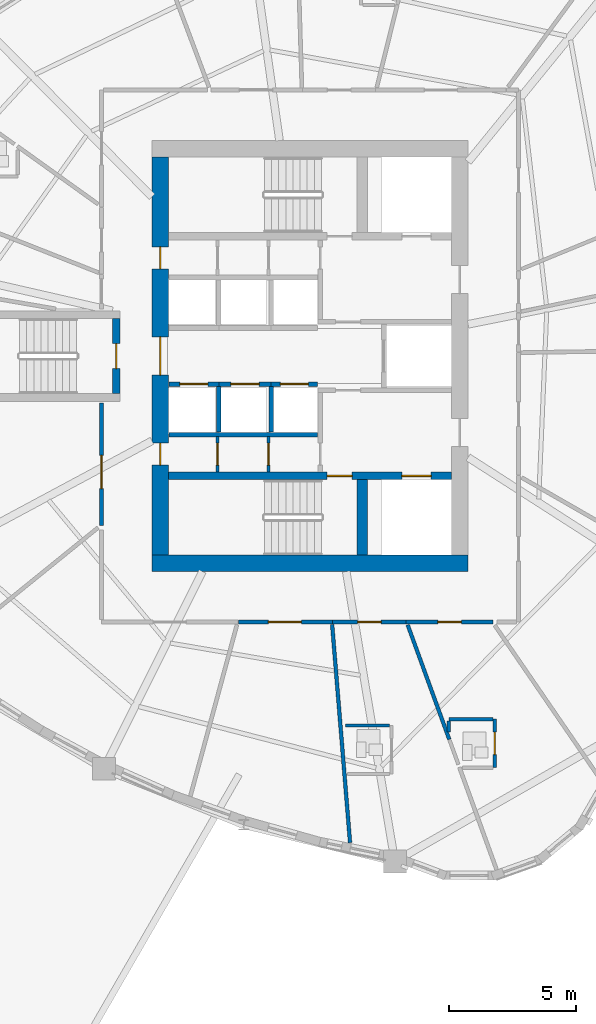
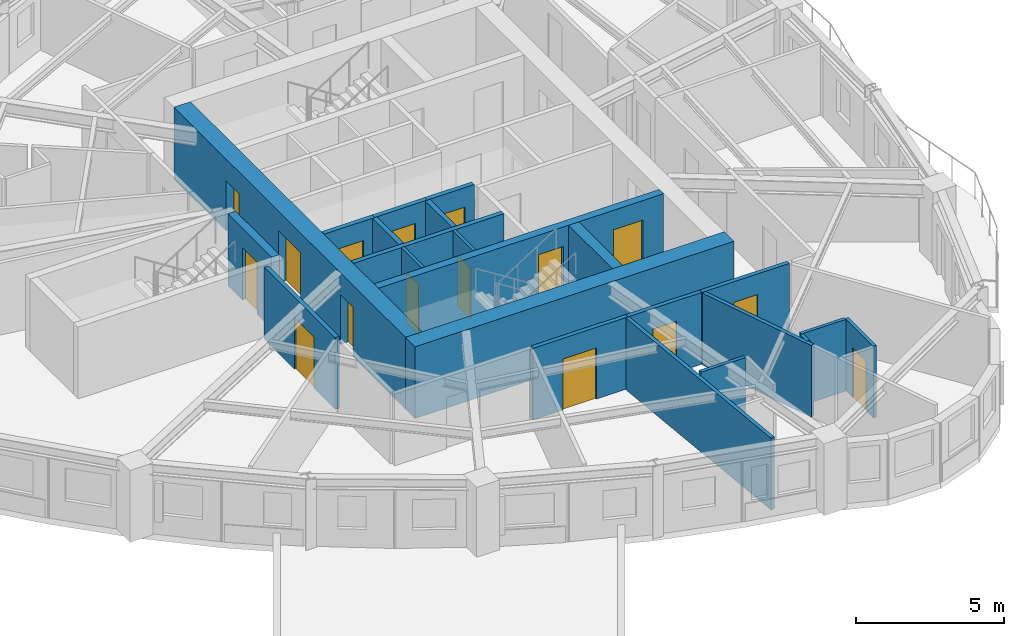
# One storey, part 4 of 14: 23 walls, 16 doors, 16 openings.
"""IFC4 building model written with IfcOpenShell, lengths in metres."""

from ifc_helpers import new_model, si_unit, direction, frame, frame_2d, origin, place, context, subcontext, project, spatial, rectangle, extrude, source, transform, mapped, material, layer, layer_set, type_object, element, fill, save


model = new_model("IFC4")

# Units and contexts
model_context = context("Model", 3, precision=1e-05, world=origin(), true_north=direction((0.0, 1.0)))
body_context = subcontext(model_context, "Body", "Model", "MODEL_VIEW")
ifc_project = project(units=[si_unit("LENGTHUNIT", "METRE"), si_unit("AREAUNIT", "SQUARE_METRE"), si_unit("VOLUMEUNIT", "CUBIC_METRE"), si_unit("PLANEANGLEUNIT", "RADIAN"), si_unit("MASSUNIT", "GRAM", prefix="KILO")], contexts=[model_context])

# Site, building, storey
site_placement = place(None, origin())
site = spatial("IfcSite", under=ifc_project, at=site_placement, CompositionType="ELEMENT")
building_placement = place(site_placement, origin())
building = spatial("IfcBuilding", under=site, at=building_placement, Name="Qafzar Sky-Pleat Residences", CompositionType="ELEMENT")
storey_placement = place(building_placement, frame((0.0, 0.0, 118.39990234375)))
storey = spatial("IfcBuildingStorey", under=building, at=storey_placement, Name="L35", CompositionType="ELEMENT", Elevation=118.39990234375)

# Wall, opening, door
ifc_material_1 = material(Name="Acoustic gypsum plasterboard partition", Category="gypsum")
ifc_layer_1 = layer(ifc_material_1, 0.159912109375)
ifc_layer_set_1 = layer_set([ifc_layer_1], Name="Acoustic gypsum plasterboard partition")
wall_type_1 = type_object("IfcWallType", Name="PART-COR-160", PredefinedType="PARTITIONING", material=ifc_layer_set_1)
wall_1_placement = place(storey_placement, frame((22.169921875, 19.35888671875, 0.0), z_axis=(0.0, 0.0, 1.0), x_axis=(0.0, 1.0, 0.0)))
wall_1 = element("IfcWall", 1, at=wall_1_placement, inside=storey, type_object=wall_type_1, Name="L35 Partition Wall PART-L35-PW-005", PredefinedType="PARTITIONING", context=body_context, shape_type="SweptSolid", body=[
    extrude(rectangle(XDim=4.791015625, YDim=0.159912109375, at=frame_2d((2.3955078125, 0.0))), origin(), (0.0, 0.0, 1.0), 2.9501953125),
])
opening_1_placement = place(wall_1_placement, frame((1.444580078125, 0.0, 0.0)))
opening_1 = element("IfcOpeningElement", 2, at=opening_1_placement, cuts=wall_1, Name="Opening ID-05", PredefinedType="OPENING", context=body_context, shape_type="SweptSolid", body=[
    extrude(rectangle(XDim=1.300048828125, YDim=2.10009765625, at=frame_2d((0.64990234375, 1.050048828125))), frame((0.0, 0.08984375, 0.0), z_axis=(0.0, -1.0, 0.0), x_axis=(1.0, 0.0, 0.0)), (0.0, 0.0, 1.0), 0.179931640625),
])
ifc_material_2 = material(Name="Timber-faced fire door", Category="wood")
door_type_1 = type_object("IfcDoorType", Name="DR-LNG-1300", OperationType="DOUBLE_DOOR_SINGLE_SWING", PredefinedType="DOOR", material=ifc_material_2)
shared_shape_1 = source(origin(), body_context, "Body", "SweptSolid", [
    extrude(rectangle(XDim=1.300048828125, YDim=2.10009765625, at=frame_2d((0.64990234375, 1.050048828125))), frame((0.0, 0.02490234375, 0.0), z_axis=(0.0, -1.0, 0.0), x_axis=(1.0, 0.0, 0.0)), (0.0, 0.0, 1.0), 0.050048828125),
])
door_1_placement = place(opening_1_placement, origin())
door_1 = element("IfcDoor", 3, at=door_1_placement, inside=storey, type_object=door_type_1, Name="L35 Academic Seminar Room Door", OperationType="DOUBLE_DOOR_SINGLE_SWING", OverallHeight=2.10009765625, OverallWidth=1.300048828125, PredefinedType="DOOR", context=body_context, shape_type="MappedRepresentation", body=[
    mapped(shared_shape_1, transform((0.0, 0.0, 0.0), x_axis=(1.0, 0.0, 0.0), y_axis=(0.0, 1.0, 0.0), z_axis=(0.0, 0.0, 1.0), scale=1.0)),
])
fill(opening_1, door_1)

wall_2_placement = place(storey_placement, frame((31.22412109375, 15.570068359375, 0.0), z_axis=(0.0, 0.0, 1.0), x_axis=(-1.0, 0.0, 0.0)))
wall_2 = element("IfcWall", 4, at=wall_2_placement, inside=storey, type_object=wall_type_1, Name="L35 Partition Wall PART-L35-PW-008", PredefinedType="PARTITIONING", context=body_context, shape_type="SweptSolid", body=[
    extrude(rectangle(XDim=3.67919921875, YDim=0.159912109375, at=frame_2d((1.839599609375, 0.0))), origin(), (0.0, 0.0, 1.0), 2.9501953125),
])
opening_2_placement = place(wall_2_placement, frame((1.21240234375, 0.0, 0.0)))
opening_2 = element("IfcOpeningElement", 5, at=opening_2_placement, cuts=wall_2, Name="Opening ID-05", PredefinedType="OPENING", context=body_context, shape_type="SweptSolid", body=[
    extrude(rectangle(XDim=1.300048828125, YDim=2.10009765625, at=frame_2d((0.64990234375, 1.050048828125))), frame((0.0, 0.08984375, 0.0), z_axis=(0.0, -1.0, 0.0), x_axis=(1.0, 0.0, 0.0)), (0.0, 0.0, 1.0), 0.179931640625),
])
door_2_placement = place(opening_2_placement, origin())
door_2 = element("IfcDoor", 6, at=door_2_placement, inside=storey, type_object=door_type_1, Name="L35 Co-Living Lounge Door", OperationType="DOUBLE_DOOR_SINGLE_SWING", OverallHeight=2.10009765625, OverallWidth=1.300048828125, PredefinedType="DOOR", context=body_context, shape_type="MappedRepresentation", body=[
    mapped(shared_shape_1, transform((0.0, 0.0, 0.0), x_axis=(1.0, 0.0, 0.0), y_axis=(0.0, 1.0, 0.0), z_axis=(0.0, 0.0, 1.0), scale=1.0)),
])
fill(opening_2, door_2)

wall_3_placement = place(storey_placement, frame((37.52392578125, 15.570068359375, 0.0), z_axis=(0.0, 0.0, 1.0), x_axis=(-1.0, 0.0, 0.0)))
wall_3 = element("IfcWall", 7, at=wall_3_placement, inside=storey, type_object=wall_type_1, Name="L35 Partition Wall PART-L35-PW-010", PredefinedType="PARTITIONING", context=body_context, shape_type="SweptSolid", body=[
    extrude(rectangle(XDim=3.40087890625, YDim=0.159912109375, at=frame_2d((1.700439453125, 0.0))), origin(), (0.0, 0.0, 1.0), 2.9501953125),
])
opening_3_placement = place(wall_3_placement, frame((1.241455078125, 0.0, 0.0)))
opening_3 = element("IfcOpeningElement", 8, at=opening_3_placement, cuts=wall_3, Name="Opening ID-04", PredefinedType="OPENING", context=body_context, shape_type="SweptSolid", body=[
    extrude(rectangle(XDim=0.919921875, YDim=2.10009765625, at=frame_2d((0.4599609375, 1.050048828125))), frame((0.0, 0.08984375, 0.0), z_axis=(0.0, -1.0, 0.0), x_axis=(1.0, 0.0, 0.0)), (0.0, 0.0, 1.0), 0.179931640625),
])
door_type_2 = type_object("IfcDoorType", Name="DR-BED-920", OperationType="NOTDEFINED", PredefinedType="DOOR", material=ifc_material_2)
shared_shape_2 = source(origin(), body_context, "Body", "SweptSolid", [
    extrude(rectangle(XDim=0.919921875, YDim=2.10009765625, at=frame_2d((0.4599609375, 1.050048828125))), frame((0.0, 0.02490234375, 0.0), z_axis=(0.0, -1.0, 0.0), x_axis=(1.0, 0.0, 0.0)), (0.0, 0.0, 1.0), 0.050048828125),
])
door_3_placement = place(opening_3_placement, origin())
door_3 = element("IfcDoor", 9, at=door_3_placement, inside=storey, type_object=door_type_2, Name="L35 Co-Living Bedroom 4 Door", OperationType="SINGLE_SWING_LEFT", OverallHeight=2.10009765625, OverallWidth=0.919921875, PredefinedType="DOOR", context=body_context, shape_type="MappedRepresentation", body=[
    mapped(shared_shape_2, transform((0.0, 0.0, 0.0), x_axis=(1.0, 0.0, 0.0), y_axis=(0.0, 1.0, 0.0), z_axis=(0.0, 0.0, 1.0), scale=1.0)),
])
fill(opening_3, door_3)

wall_4_placement = place(storey_placement, frame((34.10791015625, 15.570068359375, 0.0), z_axis=(0.0, 0.0, 1.0), x_axis=(-1.0, 0.0, 0.0)))
wall_4 = element("IfcWall", 10, at=wall_4_placement, inside=storey, type_object=wall_type_1, Name="L35 Partition Wall PART-L35-PW-011", PredefinedType="PARTITIONING", context=body_context, shape_type="SweptSolid", body=[
    extrude(rectangle(XDim=2.868896484375, YDim=0.159912109375, at=frame_2d((1.4345703125, 0.0))), origin(), (0.0, 0.0, 1.0), 2.9501953125),
])
opening_4_placement = place(wall_4_placement, frame((0.97412109375, 0.0, 0.0)))
opening_4 = element("IfcOpeningElement", 11, at=opening_4_placement, cuts=wall_4, Name="Opening ID-04", PredefinedType="OPENING", context=body_context, shape_type="SweptSolid", body=[
    extrude(rectangle(XDim=0.919921875, YDim=2.10009765625, at=frame_2d((0.4599609375, 1.050048828125))), frame((0.0, 0.08984375, 0.0), z_axis=(0.0, -1.0, 0.0), x_axis=(1.0, 0.0, 0.0)), (0.0, 0.0, 1.0), 0.179931640625),
])
door_4_placement = place(opening_4_placement, origin())
door_4 = element("IfcDoor", 12, at=door_4_placement, inside=storey, type_object=door_type_2, Name="L35 Co-Living Bedroom 3 Door", OperationType="SINGLE_SWING_RIGHT", OverallHeight=2.10009765625, OverallWidth=0.919921875, PredefinedType="DOOR", context=body_context, shape_type="MappedRepresentation", body=[
    mapped(shared_shape_2, transform((0.0, 0.0, 0.0), x_axis=(1.0, 0.0, 0.0), y_axis=(0.0, 1.0, 0.0), z_axis=(0.0, 0.0, 1.0), scale=1.0)),
])
fill(opening_4, door_4)

# Wall
ifc_material_3 = material(Name="Concrete blockwork partition", Category="masonry")
ifc_layer_2 = layer(ifc_material_3, 0.179931640625)
ifc_layer_set_2 = layer_set([ifc_layer_2], Name="Concrete blockwork partition")
wall_type_2 = type_object("IfcWallType", Name="PART-SHAFT-180", PredefinedType="PARTITIONING", material=ifc_layer_set_2)
wall_5_placement = place(storey_placement, frame((24.81005859375, 22.919921875, 0.0), z_axis=(0.0, 0.0, 1.0), x_axis=(1.0, 0.0, 0.0)))
element("IfcWall", 13, at=wall_5_placement, inside=storey, type_object=wall_type_2, Name="L35 Partition Wall PART-L35-P13-S", PredefinedType="PARTITIONING", context=body_context, shape_type="SweptSolid", body=[
    extrude(rectangle(XDim=5.83984375, YDim=0.179931640625, at=frame_2d((2.919921875, 0.0))), origin(), (0.0, 0.0, 1.0), 2.9501953125),
])

# Wall, opening, door
wall_6_placement = place(storey_placement, frame((24.81005859375, 24.89990234375, 0.0), z_axis=(0.0, 0.0, 1.0), x_axis=(1.0, 0.0, 0.0)))
wall_6 = element("IfcWall", 14, at=wall_6_placement, inside=storey, type_object=wall_type_2, Name="L35 Partition Wall PART-L35-P1-N", PredefinedType="PARTITIONING", context=body_context, shape_type="SweptSolid", body=[
    extrude(rectangle(XDim=1.96484375, YDim=0.179931640625, at=frame_2d((0.982421875, 0.0))), origin(), (0.0, 0.0, 1.0), 2.9501953125),
])
opening_5_placement = place(wall_6_placement, frame((0.4326171875, 0.0, 0.0)))
opening_5 = element("IfcOpeningElement", 15, at=opening_5_placement, cuts=wall_6, Name="Opening LD-01", PredefinedType="OPENING", context=body_context, shape_type="SweptSolid", body=[
    extrude(rectangle(XDim=1.10009765625, YDim=2.14990234375, at=frame_2d((0.550048828125, 1.074951171875))), frame((0.0, 0.10009765625, 0.0), z_axis=(0.0, -1.0, 0.0), x_axis=(1.0, 0.0, 0.0)), (0.0, 0.0, 1.0), 0.199951171875),
])
ifc_material_4 = material(Name="Stainless steel sliding landing door", Category="steel")
door_type_3 = type_object("IfcDoorType", Name="DR-LIFT-P", OperationType="DOUBLE_DOOR_SLIDING", PredefinedType="DOOR", material=ifc_material_4)
shared_shape_3 = source(origin(), body_context, "Body", "SweptSolid", [
    extrude(rectangle(XDim=1.10009765625, YDim=2.14990234375, at=frame_2d((0.550048828125, 1.074951171875))), frame((0.0, 0.02490234375, 0.0), z_axis=(0.0, -1.0, 0.0), x_axis=(1.0, 0.0, 0.0)), (0.0, 0.0, 1.0), 0.050048828125),
])
door_5_placement = place(opening_5_placement, origin())
door_5 = element("IfcDoor", 16, at=door_5_placement, inside=storey, type_object=door_type_3, Name="L35 Passenger Lift P1 Landing Door", OperationType="DOUBLE_DOOR_SLIDING", OverallHeight=2.14990234375, OverallWidth=1.10009765625, PredefinedType="DOOR", context=body_context, shape_type="MappedRepresentation", body=[
    mapped(shared_shape_3, transform((0.0, 0.0, 0.0), x_axis=(1.0, 0.0, 0.0), y_axis=(0.0, 1.0, 0.0), z_axis=(0.0, 0.0, 1.0), scale=1.0)),
])
fill(opening_5, door_5)

wall_7_placement = place(storey_placement, frame((26.77490234375, 24.89990234375, 0.0), z_axis=(0.0, 0.0, 1.0), x_axis=(1.0, 0.0, 0.0)))
wall_7 = element("IfcWall", 17, at=wall_7_placement, inside=storey, type_object=wall_type_2, Name="L35 Partition Wall PART-L35-P2-N", PredefinedType="PARTITIONING", context=body_context, shape_type="SweptSolid", body=[
    extrude(rectangle(XDim=2.050048828125, YDim=0.179931640625, at=frame_2d((1.02490234375, 0.0))), origin(), (0.0, 0.0, 1.0), 2.9501953125),
])
opening_6_placement = place(wall_7_placement, frame((0.47509765625, 0.0, 0.0)))
opening_6 = element("IfcOpeningElement", 18, at=opening_6_placement, cuts=wall_7, Name="Opening LD-01", PredefinedType="OPENING", context=body_context, shape_type="SweptSolid", body=[
    extrude(rectangle(XDim=1.10009765625, YDim=2.14990234375, at=frame_2d((0.550048828125, 1.074951171875))), frame((0.0, 0.10009765625, 0.0), z_axis=(0.0, -1.0, 0.0), x_axis=(1.0, 0.0, 0.0)), (0.0, 0.0, 1.0), 0.199951171875),
])
door_6_placement = place(opening_6_placement, origin())
door_6 = element("IfcDoor", 19, at=door_6_placement, inside=storey, type_object=door_type_3, Name="L35 Passenger Lift P2 Landing Door", OperationType="DOUBLE_DOOR_SLIDING", OverallHeight=2.14990234375, OverallWidth=1.10009765625, PredefinedType="DOOR", context=body_context, shape_type="MappedRepresentation", body=[
    mapped(shared_shape_3, transform((0.0, 0.0, 0.0), x_axis=(1.0, 0.0, 0.0), y_axis=(0.0, 1.0, 0.0), z_axis=(0.0, 0.0, 1.0), scale=1.0)),
])
fill(opening_6, door_6)

# Wall
wall_8_placement = place(storey_placement, frame((26.77490234375, 23.02001953125, 0.0), z_axis=(0.0, 0.0, 1.0), x_axis=(0.0, 1.0, 0.0)))
element("IfcWall", 20, at=wall_8_placement, inside=storey, type_object=wall_type_2, Name="L35 Partition Wall PART-L35-P13-DIV-1", PredefinedType="PARTITIONING", context=body_context, shape_type="SweptSolid", body=[
    extrude(rectangle(XDim=1.780029296875, YDim=0.179931640625, at=frame_2d((0.89013671875, 0.0))), origin(), (0.0, 0.0, 1.0), 2.9501953125),
])

# Wall, opening, door
wall_9_placement = place(storey_placement, frame((28.824951171875, 24.89990234375, 0.0), z_axis=(0.0, 0.0, 1.0), x_axis=(1.0, 0.0, 0.0)))
wall_9 = element("IfcWall", 21, at=wall_9_placement, inside=storey, type_object=wall_type_2, Name="L35 Partition Wall PART-L35-P3-N", PredefinedType="PARTITIONING", context=body_context, shape_type="SweptSolid", body=[
    extrude(rectangle(XDim=1.824951171875, YDim=0.179931640625, at=frame_2d((0.91259765625, 0.0))), origin(), (0.0, 0.0, 1.0), 2.9501953125),
])
opening_7_placement = place(wall_9_placement, frame((0.362548828125, 0.0, 0.0)))
opening_7 = element("IfcOpeningElement", 22, at=opening_7_placement, cuts=wall_9, Name="Opening LD-01", PredefinedType="OPENING", context=body_context, shape_type="SweptSolid", body=[
    extrude(rectangle(XDim=1.10009765625, YDim=2.14990234375, at=frame_2d((0.550048828125, 1.074951171875))), frame((0.0, 0.10009765625, 0.0), z_axis=(0.0, -1.0, 0.0), x_axis=(1.0, 0.0, 0.0)), (0.0, 0.0, 1.0), 0.199951171875),
])
door_7_placement = place(opening_7_placement, origin())
door_7 = element("IfcDoor", 23, at=door_7_placement, inside=storey, type_object=door_type_3, Name="L35 Passenger Lift P3 Landing Door", OperationType="DOUBLE_DOOR_SLIDING", OverallHeight=2.14990234375, OverallWidth=1.10009765625, PredefinedType="DOOR", context=body_context, shape_type="MappedRepresentation", body=[
    mapped(shared_shape_3, transform((0.0, 0.0, 0.0), x_axis=(1.0, 0.0, 0.0), y_axis=(0.0, 1.0, 0.0), z_axis=(0.0, 0.0, 1.0), scale=1.0)),
])
fill(opening_7, door_7)

# Wall
wall_10_placement = place(storey_placement, frame((28.824951171875, 23.02001953125, 0.0), z_axis=(0.0, 0.0, 1.0), x_axis=(0.0, 1.0, 0.0)))
element("IfcWall", 24, at=wall_10_placement, inside=storey, type_object=wall_type_2, Name="L35 Partition Wall PART-L35-P13-DIV-2", PredefinedType="PARTITIONING", context=body_context, shape_type="SweptSolid", body=[
    extrude(rectangle(XDim=1.780029296875, YDim=0.179931640625, at=frame_2d((0.89013671875, 0.0))), origin(), (0.0, 0.0, 1.0), 2.9501953125),
])

# Wall, opening, door
ifc_material_5 = material(Name="Gypsum plasterboard partition", Category="gypsum")
ifc_layer_3 = layer(ifc_material_5, 0.114990234375)
ifc_layer_set_3 = layer_set([ifc_layer_3], Name="Gypsum plasterboard partition")
wall_type_3 = type_object("IfcWallType", Name="PART-SVC-115", PredefinedType="PARTITIONING", material=ifc_layer_set_3)
wall_11_placement = place(storey_placement, frame((26.72509765625, 21.4599609375, 0.0), z_axis=(0.0, 0.0, 1.0), x_axis=(0.0, 1.0, 0.0)))
wall_11 = element("IfcWall", 25, at=wall_11_placement, inside=storey, type_object=wall_type_3, Name="L35 Partition Wall PART-L35-KC-SW-1", PredefinedType="PARTITIONING", context=body_context, shape_type="SweptSolid", body=[
    extrude(rectangle(XDim=1.380126953125, YDim=0.114990234375, at=frame_2d((0.68994140625, 0.0))), origin(), (0.0, 0.0, 1.0), 2.9501953125),
])
opening_8_placement = place(wall_11_placement, frame((0.260009765625, 0.0, 0.0)))
opening_8 = element("IfcOpeningElement", 26, at=opening_8_placement, cuts=wall_11, Name="Opening ID-09", PredefinedType="OPENING", context=body_context, shape_type="SweptSolid", body=[
    extrude(rectangle(XDim=0.860107421875, YDim=2.050048828125, at=frame_2d((0.43017578125, 1.02490234375))), frame((0.0, 0.0673828125, 0.0), z_axis=(0.0, -1.0, 0.0), x_axis=(1.0, 0.0, 0.0)), (0.0, 0.0, 1.0), 0.135009765625),
])
door_type_4 = type_object("IfcDoorType", Name="DR-SVC-860", OperationType="NOTDEFINED", PredefinedType="DOOR", material=ifc_material_2)
shared_shape_4 = source(origin(), body_context, "Body", "SweptSolid", [
    extrude(rectangle(XDim=0.860107421875, YDim=2.050048828125, at=frame_2d((0.43017578125, 1.02490234375))), frame((0.0, 0.02490234375, 0.0), z_axis=(0.0, -1.0, 0.0), x_axis=(1.0, 0.0, 0.0)), (0.0, 0.0, 1.0), 0.050048828125),
])
door_8_placement = place(opening_8_placement, origin())
door_8 = element("IfcDoor", 27, at=door_8_placement, inside=storey, type_object=door_type_4, Name="L35 Core South Cupboard 1 Door", OperationType="SINGLE_SWING_RIGHT", OverallHeight=2.050048828125, OverallWidth=0.860107421875, PredefinedType="DOOR", context=body_context, shape_type="MappedRepresentation", body=[
    mapped(shared_shape_4, transform((0.0, 0.0, 0.0), x_axis=(1.0, 0.0, 0.0), y_axis=(0.0, 1.0, 0.0), z_axis=(0.0, 0.0, 1.0), scale=1.0)),
])
fill(opening_8, door_8)

wall_12_placement = place(storey_placement, frame((28.72509765625, 21.4599609375, 0.0), z_axis=(0.0, 0.0, 1.0), x_axis=(0.0, 1.0, 0.0)))
wall_12 = element("IfcWall", 28, at=wall_12_placement, inside=storey, type_object=wall_type_3, Name="L35 Partition Wall PART-L35-KC-SW-2", PredefinedType="PARTITIONING", context=body_context, shape_type="SweptSolid", body=[
    extrude(rectangle(XDim=1.380126953125, YDim=0.114990234375, at=frame_2d((0.68994140625, 0.0))), origin(), (0.0, 0.0, 1.0), 2.9501953125),
])
opening_9_placement = place(wall_12_placement, frame((0.260009765625, 0.0, 0.0)))
opening_9 = element("IfcOpeningElement", 29, at=opening_9_placement, cuts=wall_12, Name="Opening ID-09", PredefinedType="OPENING", context=body_context, shape_type="SweptSolid", body=[
    extrude(rectangle(XDim=0.860107421875, YDim=2.050048828125, at=frame_2d((0.43017578125, 1.02490234375))), frame((0.0, 0.0673828125, 0.0), z_axis=(0.0, -1.0, 0.0), x_axis=(1.0, 0.0, 0.0)), (0.0, 0.0, 1.0), 0.135009765625),
])
door_9_placement = place(opening_9_placement, origin())
door_9 = element("IfcDoor", 30, at=door_9_placement, inside=storey, type_object=door_type_4, Name="L35 Core South Cupboard 2 Door", OperationType="SINGLE_SWING_RIGHT", OverallHeight=2.050048828125, OverallWidth=0.860107421875, PredefinedType="DOOR", context=body_context, shape_type="MappedRepresentation", body=[
    mapped(shared_shape_4, transform((0.0, 0.0, 0.0), x_axis=(1.0, 0.0, 0.0), y_axis=(0.0, 1.0, 0.0), z_axis=(0.0, 0.0, 1.0), scale=1.0)),
])
fill(opening_9, door_9)

# Walls
ifc_layer_4 = layer(ifc_material_1, 0.14501953125)
ifc_layer_set_4 = layer_set([ifc_layer_4], Name="Acoustic gypsum plasterboard partition")
wall_type_4 = type_object("IfcWallType", Name="PART-UNIT-145", PredefinedType="PARTITIONING", material=ifc_layer_set_4)
wall_13_placement = place(storey_placement, frame((31.216796875, 15.47607421875, 0.0), z_axis=(0.0, 0.0, 1.0), x_axis=(0.081928316893, -0.996638224679, 0.0)))
element("IfcWall", 31, at=wall_13_placement, inside=storey, type_object=wall_type_4, Name="L35 Partition Wall PART-L35-PW-023", PredefinedType="PARTITIONING", context=body_context, shape_type="SweptSolid", body=[
    extrude(rectangle(XDim=8.591064453125, YDim=0.14501953125, at=frame_2d((4.29541015625, 0.0))), origin(), (0.0, 0.0, 1.0), 2.9501953125),
])
wall_14_placement = place(storey_placement, frame((34.1796875, 15.457763671875, 0.0), z_axis=(0.0, 0.0, 1.0), x_axis=(0.341373856507, -0.939927598325, 0.0)))
element("IfcWall", 32, at=wall_14_placement, inside=storey, type_object=wall_type_4, Name="L35 Partition Wall PART-L35-PW-035", PredefinedType="PARTITIONING", context=body_context, shape_type="SweptSolid", body=[
    extrude(rectangle(XDim=4.77880859375, YDim=0.14501953125, at=frame_2d((2.389404296875, 0.0))), origin(), (0.0, 0.0, 1.0), 2.9501953125),
])

# Wall, opening, door
ifc_material_6 = material(Name="Moisture-resistant gypsum partition", Category="gypsum")
ifc_layer_5 = layer(ifc_material_6, 0.1298828125)
ifc_layer_set_5 = layer_set([ifc_layer_5], Name="Moisture-resistant gypsum partition")
wall_type_5 = type_object("IfcWallType", Name="PART-WET-130", PredefinedType="PARTITIONING", material=ifc_layer_set_5)
wall_15_placement = place(storey_placement, frame((37.595947265625, 9.85791015625, 0.0), z_axis=(0.0, 0.0, 1.0), x_axis=(0.0, 1.0, 0.0)))
wall_15 = element("IfcWall", 33, at=wall_15_placement, inside=storey, type_object=wall_type_5, Name="L35 Partition Wall PART-L35-PW-017", PredefinedType="PARTITIONING", context=body_context, shape_type="SweptSolid", body=[
    extrude(rectangle(XDim=1.900146484375, YDim=0.1298828125, at=frame_2d((0.9501953125, 0.0))), origin(), (0.0, 0.0, 1.0), 2.9501953125),
])
opening_10_placement = place(wall_15_placement, frame((0.510009765625, 0.0, 0.0)))
opening_10 = element("IfcOpeningElement", 34, at=opening_10_placement, cuts=wall_15, Name="Opening ID-07", PredefinedType="OPENING", context=body_context, shape_type="SweptSolid", body=[
    extrude(rectangle(XDim=0.8798828125, YDim=2.050048828125, at=frame_2d((0.43994140625, 1.02490234375))), frame((0.0, 0.074951171875, 0.0), z_axis=(0.0, -1.0, 0.0), x_axis=(1.0, 0.0, 0.0)), (0.0, 0.0, 1.0), 0.14990234375),
])
door_type_5 = type_object("IfcDoorType", Name="DR-WET-880", OperationType="NOTDEFINED", PredefinedType="DOOR", material=ifc_material_2)
shared_shape_5 = source(origin(), body_context, "Body", "SweptSolid", [
    extrude(rectangle(XDim=0.8798828125, YDim=2.050048828125, at=frame_2d((0.43994140625, 1.02490234375))), frame((0.0, 0.02490234375, 0.0), z_axis=(0.0, -1.0, 0.0), x_axis=(1.0, 0.0, 0.0)), (0.0, 0.0, 1.0), 0.050048828125),
])
door_10_placement = place(opening_10_placement, origin())
door_10 = element("IfcDoor", 35, at=door_10_placement, inside=storey, type_object=door_type_5, Name="L35 En-suite Bathroom 4 Door", OperationType="SINGLE_SWING_RIGHT", OverallHeight=2.050048828125, OverallWidth=0.8798828125, PredefinedType="DOOR", context=body_context, shape_type="MappedRepresentation", body=[
    mapped(shared_shape_5, transform((0.0, 0.0, 0.0), x_axis=(1.0, 0.0, 0.0), y_axis=(0.0, 1.0, 0.0), z_axis=(0.0, 0.0, 1.0), scale=1.0)),
])
fill(opening_10, door_10)

# Walls
for number, where, z_axis, x_axis, name in (
    (36, (31.742919921875, 11.508056640625, 0.0), (0.0, 0.0, 1.0), (1.0, 0.0, 0.0), "L35 Partition Wall PART-L35-PW-043"),
    (37, (35.7958984375, 11.758056640625, 0.0), (0.0, 0.0, 1.0), (1.0, 0.0, 0.0), "L35 Partition Wall PART-L35-PW-046"),
):
    element("IfcWall", number, at=place(storey_placement, frame(where, z_axis=z_axis, x_axis=x_axis)), inside=storey, type_object=wall_type_5, Name=name, PredefinedType="PARTITIONING", context=body_context, shape_type="SweptSolid", body=[
        extrude(rectangle(XDim=1.72705078125, YDim=0.1298828125, at=frame_2d((0.863525390625, 0.0))), origin(), (0.0, 0.0, 1.0), 2.9501953125),
    ])
wall_16_placement = place(storey_placement, frame((35.7958984375, 11.2470703125, 0.0), z_axis=(0.0, 0.0, 1.0), x_axis=(0.0, 1.0, 0.0)))
element("IfcWall", 38, at=wall_16_placement, inside=storey, type_object=wall_type_5, Name="L35 Partition Wall PART-L35-PW-055", PredefinedType="PARTITIONING", context=body_context, shape_type="SweptSolid", body=[
    extrude(rectangle(XDim=0.43798828125, YDim=0.1298828125, at=frame_2d((0.218994140625, 0.0))), origin(), (0.0, 0.0, 1.0), 2.9501953125),
])

# Wall, openings, doors
ifc_material_7 = material(Name="Concrete C60/75", Category="concrete")
ifc_layer_6 = layer(ifc_material_7, 0.300048828125)
ifc_layer_set_6 = layer_set([ifc_layer_6], Name="Concrete C60/75")
wall_type_6 = type_object("IfcWallType", Name="WALL-SHEAR-300", PredefinedType="SHEAR", material=ifc_layer_set_6)
wall_17_placement = place(storey_placement, frame((24.800048828125, 21.300048828125, 0.0), z_axis=(0.0, 0.0, 1.0), x_axis=(1.0, 0.0, 0.0)))
wall_17 = element("IfcWall", 39, at=wall_17_placement, inside=storey, type_object=wall_type_6, Name="L35 Stair ST1 and FF1 Shaft North Wall", PredefinedType="SHEAR", context=body_context, shape_type="SweptSolid", body=[
    extrude(rectangle(XDim=11.099853515625, YDim=0.300048828125, at=frame_2d((5.5498046875, 0.0))), origin(), (0.0, 0.0, 1.0), 2.9501953125),
])
opening_11_placement = place(wall_17_placement, frame((6.219970703125, 0.0, 0.0)))
opening_11 = element("IfcOpeningElement", 40, at=opening_11_placement, cuts=wall_17, Name="Opening ID-01", PredefinedType="OPENING", context=body_context, shape_type="SweptSolid", body=[
    extrude(rectangle(XDim=0.97998046875, YDim=2.14990234375, at=frame_2d((0.489990234375, 1.074951171875))), frame((0.0, 0.16015625, 0.0), z_axis=(0.0, -1.0, 0.0), x_axis=(1.0, 0.0, 0.0)), (0.0, 0.0, 1.0), 0.320068359375),
])
opening_12_placement = place(wall_17_placement, frame((9.14990234375, 0.0, 0.0)))
opening_12 = element("IfcOpeningElement", 41, at=opening_12_placement, cuts=wall_17, Name="Opening LD-02", PredefinedType="OPENING", context=body_context, shape_type="SweptSolid", body=[
    extrude(rectangle(XDim=1.14990234375, YDim=2.14990234375, at=frame_2d((0.574951171875, 1.074951171875))), frame((0.0, 0.16015625, 0.0), z_axis=(0.0, -1.0, 0.0), x_axis=(1.0, 0.0, 0.0)), (0.0, 0.0, 1.0), 0.320068359375),
])
door_type_6 = type_object("IfcDoorType", Name="DR-STAIR-980", OperationType="NOTDEFINED", PredefinedType="DOOR", material=ifc_material_2)
shared_shape_6 = source(origin(), body_context, "Body", "SweptSolid", [
    extrude(rectangle(XDim=0.97998046875, YDim=2.14990234375, at=frame_2d((0.489990234375, 1.074951171875))), frame((0.0, 0.02490234375, 0.0), z_axis=(0.0, -1.0, 0.0), x_axis=(1.0, 0.0, 0.0)), (0.0, 0.0, 1.0), 0.050048828125),
])
door_11_placement = place(opening_11_placement, origin())
door_11 = element("IfcDoor", 42, at=door_11_placement, inside=storey, type_object=door_type_6, Name="L35 Stair ST1 Fire Door", OperationType="SINGLE_SWING_LEFT", OverallHeight=2.14990234375, OverallWidth=0.97998046875, PredefinedType="DOOR", context=body_context, shape_type="MappedRepresentation", body=[
    mapped(shared_shape_6, transform((0.0, 0.0, 0.0), x_axis=(1.0, 0.0, 0.0), y_axis=(0.0, 1.0, 0.0), z_axis=(0.0, 0.0, 1.0), scale=1.0)),
])
fill(opening_11, door_11)
door_type_7 = type_object("IfcDoorType", Name="DR-LIFT-FF", OperationType="DOUBLE_DOOR_SLIDING", PredefinedType="DOOR", material=ifc_material_4)
shared_shape_7 = source(origin(), body_context, "Body", "SweptSolid", [
    extrude(rectangle(XDim=1.14990234375, YDim=2.14990234375, at=frame_2d((0.574951171875, 1.074951171875))), frame((0.0, 0.02490234375, 0.0), z_axis=(0.0, -1.0, 0.0), x_axis=(1.0, 0.0, 0.0)), (0.0, 0.0, 1.0), 0.050048828125),
])
door_12_placement = place(opening_12_placement, origin())
door_12 = element("IfcDoor", 43, at=door_12_placement, inside=storey, type_object=door_type_7, Name="L35 Firefighting Lift FF1 Landing Door", OperationType="DOUBLE_DOOR_SLIDING", OverallHeight=2.14990234375, OverallWidth=1.14990234375, PredefinedType="DOOR", context=body_context, shape_type="MappedRepresentation", body=[
    mapped(shared_shape_7, transform((0.0, 0.0, 0.0), x_axis=(1.0, 0.0, 0.0), y_axis=(0.0, 1.0, 0.0), z_axis=(0.0, 0.0, 1.0), scale=1.0)),
])
fill(opening_12, door_12)

# Wall, opening, door
wall_18_placement = place(storey_placement, frame((22.75, 24.52490234375, 0.0), z_axis=(0.0, 0.0, 1.0), x_axis=(0.0, 1.0, 0.0)))
wall_18 = element("IfcWall", 44, at=wall_18_placement, inside=storey, type_object=wall_type_6, Name="L35 ST3 wall E", PredefinedType="SHEAR", context=body_context, shape_type="SweptSolid", body=[
    extrude(rectangle(XDim=2.9501953125, YDim=0.300048828125, at=frame_2d((1.47509765625, 0.0))), origin(), (0.0, 0.0, 1.0), 2.9501953125),
])
opening_13_placement = place(wall_18_placement, frame((0.985107421875, 0.0, 0.0)))
opening_13 = element("IfcOpeningElement", 45, at=opening_13_placement, cuts=wall_18, Name="Opening ID-01", PredefinedType="OPENING", context=body_context, shape_type="SweptSolid", body=[
    extrude(rectangle(XDim=0.97998046875, YDim=2.14990234375, at=frame_2d((0.489990234375, 1.074951171875))), frame((0.0, 0.16015625, 0.0), z_axis=(0.0, -1.0, 0.0), x_axis=(1.0, 0.0, 0.0)), (0.0, 0.0, 1.0), 0.320068359375),
])
door_13_placement = place(opening_13_placement, origin())
door_13 = element("IfcDoor", 46, at=door_13_placement, inside=storey, type_object=door_type_6, Name="L35 Stair ST3 Fire Door", OperationType="SINGLE_SWING_LEFT", OverallHeight=2.14990234375, OverallWidth=0.97998046875, PredefinedType="DOOR", context=body_context, shape_type="MappedRepresentation", body=[
    mapped(shared_shape_6, transform((0.0, 0.0, 0.0), x_axis=(1.0, 0.0, 0.0), y_axis=(0.0, 1.0, 0.0), z_axis=(0.0, 0.0, 1.0), scale=1.0)),
])
fill(opening_13, door_13)

# Walls
ifc_layer_7 = layer(ifc_material_7, 0.39990234375)
ifc_layer_set_7 = layer_set([ifc_layer_7], Name="Concrete C60/75")
wall_type_7 = type_object("IfcWallType", Name="WALL-SHEAR-400", PredefinedType="SHEAR", material=ifc_layer_set_7)
wall_19_placement = place(storey_placement, frame((32.39990234375, 18.199951171875, 0.0), z_axis=(0.0, 0.0, 1.0), x_axis=(0.0, 1.0, 0.0)))
element("IfcWall", 47, at=wall_19_placement, inside=storey, type_object=wall_type_7, Name="L35 Stair ST1 East Dividing Wall", PredefinedType="SHEAR", context=body_context, shape_type="SweptSolid", body=[
    extrude(rectangle(XDim=2.949951171875, YDim=0.39990234375, at=frame_2d((1.47509765625, 0.0))), origin(), (0.0, 0.0, 1.0), 2.9501953125),
])
ifc_layer_8 = layer(ifc_material_7, 0.64990234375)
ifc_layer_set_8 = layer_set([ifc_layer_8], Name="Concrete C60/75")
wall_type_8 = type_object("IfcWallType", Name="WALL-SHEAR-650", PredefinedType="SHEAR", material=ifc_layer_set_8)
wall_20_placement = place(storey_placement, frame((24.14990234375, 17.875, 0.0), z_axis=(0.0, 0.0, 1.0), x_axis=(1.0, 0.0, 0.0)))
element("IfcWall", 48, at=wall_20_placement, inside=storey, type_object=wall_type_8, Name="L35 CORE wall S", PredefinedType="SHEAR", context=body_context, shape_type="SweptSolid", body=[
    extrude(rectangle(XDim=12.400146484375, YDim=0.64990234375, at=frame_2d((6.2001953125, 0.0))), origin(), (0.0, 0.0, 1.0), 2.9501953125),
])

# Wall, openings, doors
wall_21_placement = place(storey_placement, frame((24.47509765625, 33.800048828125, 0.0), z_axis=(0.0, 0.0, 1.0), x_axis=(0.0, -1.0, 0.0)))
wall_21 = element("IfcWall", 49, at=wall_21_placement, inside=storey, type_object=wall_type_8, Name="L35 CORE wall W", PredefinedType="SHEAR", context=body_context, shape_type="SweptSolid", body=[
    extrude(rectangle(XDim=15.60009765625, YDim=0.64990234375, at=frame_2d((7.800048828125, 0.0))), origin(), (0.0, 0.0, 1.0), 2.9501953125),
])
opening_14_placement = place(wall_21_placement, frame((7.050048828125, 0.0, 0.0)))
opening_14 = element("IfcOpeningElement", 50, at=opening_14_placement, cuts=wall_21, Name="Opening ID-03", PredefinedType="OPENING", context=body_context, shape_type="SweptSolid", body=[
    extrude(rectangle(XDim=1.5, YDim=2.14990234375, at=frame_2d((0.75, 1.074951171875))), frame((0.0, 0.3349609375, 0.0), z_axis=(0.0, -1.0, 0.0), x_axis=(1.0, 0.0, 0.0)), (0.0, 0.0, 1.0), 0.669921875),
])
opening_15_placement = place(wall_21_placement, frame((3.52001953125, 0.0, 0.0)))
opening_15 = element("IfcOpeningElement", 51, at=opening_15_placement, cuts=wall_21, Name="Opening ID-09", PredefinedType="OPENING", context=body_context, shape_type="SweptSolid", body=[
    extrude(rectangle(XDim=0.860107421875, YDim=2.050048828125, at=frame_2d((0.43017578125, 1.02490234375))), frame((0.0, 0.3349609375, 0.0), z_axis=(0.0, -1.0, 0.0), x_axis=(1.0, 0.0, 0.0)), (0.0, 0.0, 1.0), 0.669921875),
])
opening_16_placement = place(wall_21_placement, frame((11.219970703125, 0.0, 0.0)))
opening_16 = element("IfcOpeningElement", 52, at=opening_16_placement, cuts=wall_21, Name="Opening ID-09", PredefinedType="OPENING", context=body_context, shape_type="SweptSolid", body=[
    extrude(rectangle(XDim=0.860107421875, YDim=2.050048828125, at=frame_2d((0.43017578125, 1.02490234375))), frame((0.0, 0.3349609375, 0.0), z_axis=(0.0, -1.0, 0.0), x_axis=(1.0, 0.0, 0.0)), (0.0, 0.0, 1.0), 0.669921875),
])
door_type_8 = type_object("IfcDoorType", Name="DR-COR-1500", OperationType="DOUBLE_DOOR_SINGLE_SWING", PredefinedType="DOOR", material=ifc_material_2)
shared_shape_8 = source(origin(), body_context, "Body", "SweptSolid", [
    extrude(rectangle(XDim=1.5, YDim=2.14990234375, at=frame_2d((0.75, 1.074951171875))), frame((0.0, 0.02490234375, 0.0), z_axis=(0.0, -1.0, 0.0), x_axis=(1.0, 0.0, 0.0)), (0.0, 0.0, 1.0), 0.050048828125),
])
door_14_placement = place(opening_14_placement, origin())
door_14 = element("IfcDoor", 53, at=door_14_placement, inside=storey, type_object=door_type_8, Name="L35 Lift Lobby West Double Door", OperationType="DOUBLE_DOOR_SINGLE_SWING", OverallHeight=2.14990234375, OverallWidth=1.5, PredefinedType="DOOR", context=body_context, shape_type="MappedRepresentation", body=[
    mapped(shared_shape_8, transform((0.0, 0.0, 0.0), x_axis=(1.0, 0.0, 0.0), y_axis=(0.0, 1.0, 0.0), z_axis=(0.0, 0.0, 1.0), scale=1.0)),
])
fill(opening_14, door_14)
door_15_placement = place(opening_15_placement, origin())
door_15 = element("IfcDoor", 54, at=door_15_placement, inside=storey, type_object=door_type_4, Name="L35 Core North-West Service Door", OperationType="SINGLE_SWING_RIGHT", OverallHeight=2.050048828125, OverallWidth=0.860107421875, PredefinedType="DOOR", context=body_context, shape_type="MappedRepresentation", body=[
    mapped(shared_shape_4, transform((0.0, 0.0, 0.0), x_axis=(1.0, 0.0, 0.0), y_axis=(0.0, 1.0, 0.0), z_axis=(0.0, 0.0, 1.0), scale=1.0)),
])
fill(opening_15, door_15)
door_16_placement = place(opening_16_placement, origin())
door_16 = element("IfcDoor", 55, at=door_16_placement, inside=storey, type_object=door_type_4, Name="L35 Core South-West Service Door", OperationType="SINGLE_SWING_LEFT", OverallHeight=2.050048828125, OverallWidth=0.860107421875, PredefinedType="DOOR", context=body_context, shape_type="MappedRepresentation", body=[
    mapped(shared_shape_4, transform((0.0, 0.0, 0.0), x_axis=(1.0, 0.0, 0.0), y_axis=(0.0, 1.0, 0.0), z_axis=(0.0, 0.0, 1.0), scale=1.0)),
])
fill(opening_16, door_16)

save(model, "model.ifc")
